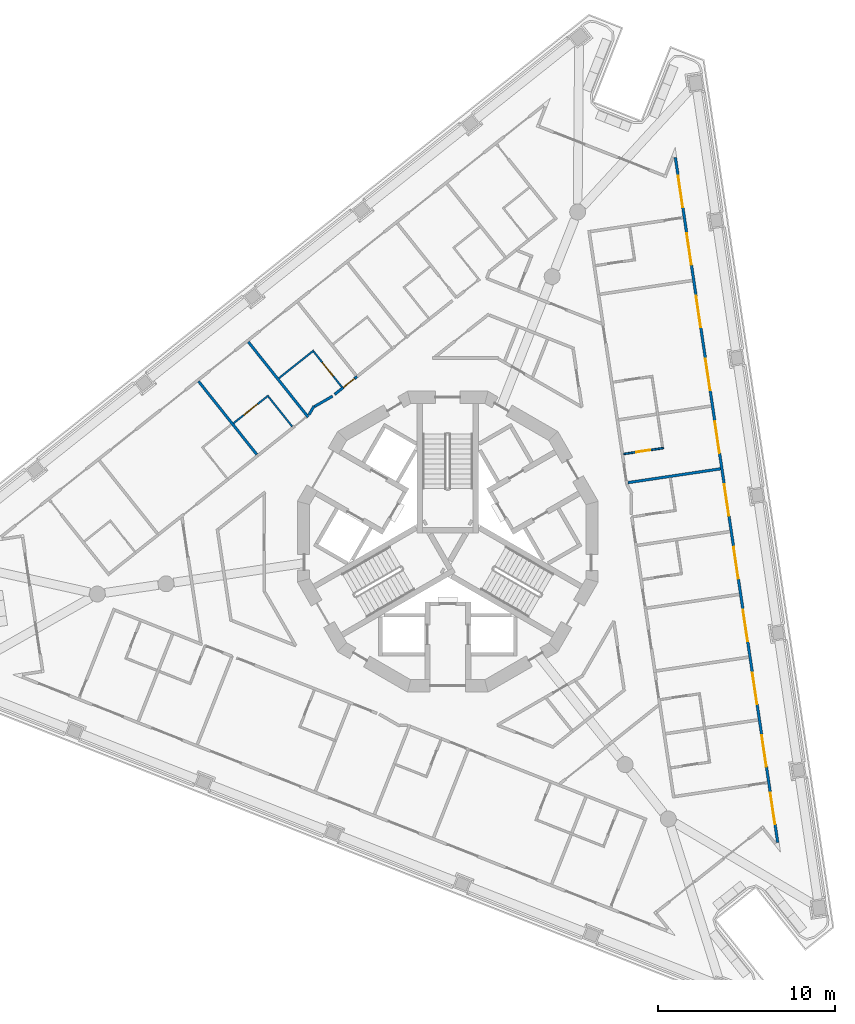
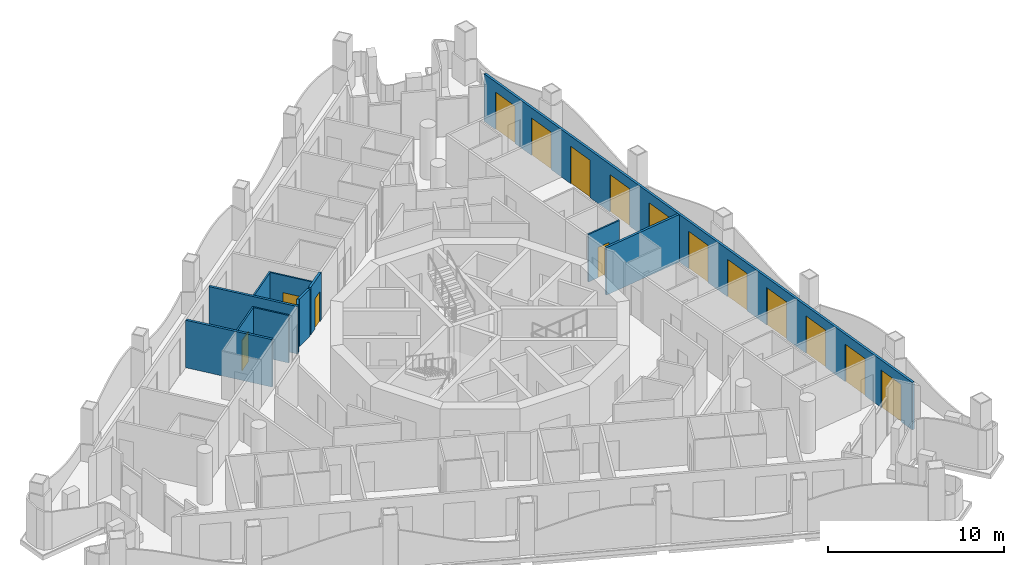
# One storey, part 7 of 17: 15 doors, 12 walls, 15 openings.
"""IFC4 building model written with IfcOpenShell, lengths in metres."""

from ifc_helpers import new_model, si_unit, direction, frame, frame_2d, origin, place, context, subcontext, project, spatial, polyline, rectangle, outline, extrude, material, layer, layer_set, type_object, element, fill, save


model = new_model("IFC4")

# Units and contexts
model_context = context("Model", 3, precision=1e-05, world=origin(), true_north=direction((0.0, 1.0)))
body_context = subcontext(model_context, "Body", "Model", "MODEL_VIEW")
ifc_project = project(units=[si_unit("LENGTHUNIT", "METRE"), si_unit("AREAUNIT", "SQUARE_METRE"), si_unit("VOLUMEUNIT", "CUBIC_METRE"), si_unit("PLANEANGLEUNIT", "RADIAN"), si_unit("MASSUNIT", "GRAM", prefix="KILO")], contexts=[model_context])

# Site, building, storey
site_placement = place(None, origin())
site = spatial("IfcSite", under=ifc_project, at=site_placement, CompositionType="ELEMENT")
building_placement = place(site_placement, origin())
building = spatial("IfcBuilding", under=site, at=building_placement, Name="Trine Commons Tower", CompositionType="ELEMENT")
storey_placement = place(building_placement, frame((0.0, 0.0, 216.0)))
storey = spatial("IfcBuildingStorey", under=building, at=storey_placement, Name="L56", CompositionType="ELEMENT", Elevation=216.0)

# Wall, openings, doors
ifc_material_1 = material(Name="Aluminium-framed insulated wall panel", Category="aluminium")
ifc_layer_1 = layer(ifc_material_1, 0.14990234375)
ifc_layer_set_1 = layer_set([ifc_layer_1], Name="Aluminium-framed insulated wall panel")
wall_type_1 = type_object("IfcWallType", Name="Glazed frame wall 150, EI 60", PredefinedType="SOLIDWALL", material=ifc_layer_set_1)
wall_1_placement = place(storey_placement, frame((92.835205078125, 84.3603515625, 0.0), z_axis=(0.0, 0.0, 1.0), x_axis=(0.147810490781, -0.989015702006, 0.0)))
wall_1 = element("IfcWall", 1, at=wall_1_placement, inside=storey, type_object=wall_type_1, Name="Glazed frame wall F2", PredefinedType="SOLIDWALL", context=body_context, shape_type="SweptSolid", body=[
    extrude(outline(polyline([(0.1494140625, 0.074951171875), (0.1494140625, -0.074951171875), (39.296875, -0.074951171875), (39.296875, 0.074951171875), (0.1494140625, 0.074951171875)])), origin(), (0.0, 0.0, 1.0), 3.300048828125),
])
opening_1_placement = place(wall_1_placement, frame((1.193115234375, 0.0, 0.0)))
opening_1 = element("IfcOpeningElement", 2, at=opening_1_placement, cuts=wall_1, Name="Opening BD-6F2-01", PredefinedType="OPENING", context=body_context, shape_type="SweptSolid", body=[
    extrude(rectangle(XDim=1.800048828125, YDim=2.60009765625, at=frame_2d((0.89990234375, 1.300048828125))), frame((0.0, 0.0849609375, 0.0), z_axis=(0.0, -1.0, 0.0), x_axis=(1.0, 0.0, 0.0)), (0.0, 0.0, 1.0), 0.169921875),
])
opening_2_placement = place(wall_1_placement, frame((4.47900390625, 0.0, 0.0)))
opening_2 = element("IfcOpeningElement", 3, at=opening_2_placement, cuts=wall_1, Name="Opening BD-6F2-02", PredefinedType="OPENING", context=body_context, shape_type="SweptSolid", body=[
    extrude(rectangle(XDim=1.800048828125, YDim=2.60009765625, at=frame_2d((0.89990234375, 1.300048828125))), frame((0.0, 0.0849609375, 0.0), z_axis=(0.0, -1.0, 0.0), x_axis=(1.0, 0.0, 0.0)), (0.0, 0.0, 1.0), 0.169921875),
])
opening_3_placement = place(wall_1_placement, frame((8.06494140625, 0.0, 0.0)))
opening_3 = element("IfcOpeningElement", 4, at=opening_3_placement, cuts=wall_1, Name="Opening BD-6F2-03", PredefinedType="OPENING", context=body_context, shape_type="SweptSolid", body=[
    extrude(rectangle(XDim=1.800048828125, YDim=2.60009765625, at=frame_2d((0.89990234375, 1.300048828125))), frame((0.0, 0.0849609375, 0.0), z_axis=(0.0, -1.0, 0.0), x_axis=(1.0, 0.0, 0.0)), (0.0, 0.0, 1.0), 0.169921875),
])
opening_4_placement = place(wall_1_placement, frame((11.65087890625, 0.0, 0.0)))
opening_4 = element("IfcOpeningElement", 5, at=opening_4_placement, cuts=wall_1, Name="Opening BD-6F2-04", PredefinedType="OPENING", context=body_context, shape_type="SweptSolid", body=[
    extrude(rectangle(XDim=1.800048828125, YDim=2.60009765625, at=frame_2d((0.89990234375, 1.300048828125))), frame((0.0, 0.0849609375, 0.0), z_axis=(0.0, -1.0, 0.0), x_axis=(1.0, 0.0, 0.0)), (0.0, 0.0, 1.0), 0.169921875),
])
opening_5_placement = place(wall_1_placement, frame((15.237060546875, 0.0, 0.0)))
opening_5 = element("IfcOpeningElement", 6, at=opening_5_placement, cuts=wall_1, Name="Opening BD-6F2-05", PredefinedType="OPENING", context=body_context, shape_type="SweptSolid", body=[
    extrude(rectangle(XDim=1.800048828125, YDim=2.60009765625, at=frame_2d((0.89990234375, 1.300048828125))), frame((0.0, 0.0849609375, 0.0), z_axis=(0.0, -1.0, 0.0), x_axis=(1.0, 0.0, 0.0)), (0.0, 0.0, 1.0), 0.169921875),
])
opening_6_placement = place(wall_1_placement, frame((18.822998046875, 0.0, 0.0)))
opening_6 = element("IfcOpeningElement", 7, at=opening_6_placement, cuts=wall_1, Name="Opening BD-6F2-06", PredefinedType="OPENING", context=body_context, shape_type="SweptSolid", body=[
    extrude(rectangle(XDim=1.800048828125, YDim=2.60009765625, at=frame_2d((0.89990234375, 1.300048828125))), frame((0.0, 0.0849609375, 0.0), z_axis=(0.0, -1.0, 0.0), x_axis=(1.0, 0.0, 0.0)), (0.0, 0.0, 1.0), 0.169921875),
])
opening_7_placement = place(wall_1_placement, frame((22.408935546875, 0.0, 0.0)))
opening_7 = element("IfcOpeningElement", 8, at=opening_7_placement, cuts=wall_1, Name="Opening BD-6F2-07", PredefinedType="OPENING", context=body_context, shape_type="SweptSolid", body=[
    extrude(rectangle(XDim=1.800048828125, YDim=2.60009765625, at=frame_2d((0.89990234375, 1.300048828125))), frame((0.0, 0.0849609375, 0.0), z_axis=(0.0, -1.0, 0.0), x_axis=(1.0, 0.0, 0.0)), (0.0, 0.0, 1.0), 0.169921875),
])
opening_8_placement = place(wall_1_placement, frame((25.9951171875, 0.0, 0.0)))
opening_8 = element("IfcOpeningElement", 9, at=opening_8_placement, cuts=wall_1, Name="Opening BD-6F2-08", PredefinedType="OPENING", context=body_context, shape_type="SweptSolid", body=[
    extrude(rectangle(XDim=1.800048828125, YDim=2.60009765625, at=frame_2d((0.89990234375, 1.300048828125))), frame((0.0, 0.0849609375, 0.0), z_axis=(0.0, -1.0, 0.0), x_axis=(1.0, 0.0, 0.0)), (0.0, 0.0, 1.0), 0.169921875),
])
opening_9_placement = place(wall_1_placement, frame((29.5810546875, 0.0, 0.0)))
opening_9 = element("IfcOpeningElement", 10, at=opening_9_placement, cuts=wall_1, Name="Opening BD-6F2-09", PredefinedType="OPENING", context=body_context, shape_type="SweptSolid", body=[
    extrude(rectangle(XDim=1.800048828125, YDim=2.60009765625, at=frame_2d((0.89990234375, 1.300048828125))), frame((0.0, 0.0849609375, 0.0), z_axis=(0.0, -1.0, 0.0), x_axis=(1.0, 0.0, 0.0)), (0.0, 0.0, 1.0), 0.169921875),
])
opening_10_placement = place(wall_1_placement, frame((33.1669921875, 0.0, 0.0)))
opening_10 = element("IfcOpeningElement", 11, at=opening_10_placement, cuts=wall_1, Name="Opening BD-6F2-10", PredefinedType="OPENING", context=body_context, shape_type="SweptSolid", body=[
    extrude(rectangle(XDim=1.800048828125, YDim=2.60009765625, at=frame_2d((0.89990234375, 1.300048828125))), frame((0.0, 0.0849609375, 0.0), z_axis=(0.0, -1.0, 0.0), x_axis=(1.0, 0.0, 0.0)), (0.0, 0.0, 1.0), 0.169921875),
])
opening_11_placement = place(wall_1_placement, frame((36.452880859375, 0.0, 0.0)))
opening_11 = element("IfcOpeningElement", 12, at=opening_11_placement, cuts=wall_1, Name="Opening BD-6F2-11", PredefinedType="OPENING", context=body_context, shape_type="SweptSolid", body=[
    extrude(rectangle(XDim=1.800048828125, YDim=2.60009765625, at=frame_2d((0.89990234375, 1.300048828125))), frame((0.0, 0.0849609375, 0.0), z_axis=(0.0, -1.0, 0.0), x_axis=(1.0, 0.0, 0.0)), (0.0, 0.0, 1.0), 0.169921875),
])
ifc_material_2 = material(Name="Anodised aluminium frame with double glazing", Category="aluminium")
door_type_1 = type_object("IfcDoorType", Name="Sliding loggia door 1800x2600", OperationType="SLIDING_TO_LEFT", PredefinedType="DOOR", material=ifc_material_2)
door_1_placement = place(opening_1_placement, origin())
door_1 = element("IfcDoor", 13, at=door_1_placement, inside=storey, type_object=door_type_1, Name="Loggia door F2 1", OperationType="SLIDING_TO_LEFT", OverallHeight=2.60009765625, OverallWidth=1.800048828125, PredefinedType="DOOR", context=body_context, shape_type="SweptSolid", body=[
    extrude(rectangle(XDim=1.800048828125, YDim=2.60009765625, at=frame_2d((0.89990234375, 1.300048828125))), frame((0.0, 0.02490234375, 0.0), z_axis=(0.0, -1.0, 0.0), x_axis=(1.0, 0.0, 0.0)), (0.0, 0.0, 1.0), 0.050048828125),
])
fill(opening_1, door_1)
door_2_placement = place(opening_2_placement, origin())
door_2 = element("IfcDoor", 14, at=door_2_placement, inside=storey, type_object=door_type_1, Name="Loggia door F2 2", OperationType="SLIDING_TO_LEFT", OverallHeight=2.60009765625, OverallWidth=1.800048828125, PredefinedType="DOOR", context=body_context, shape_type="SweptSolid", body=[
    extrude(rectangle(XDim=1.800048828125, YDim=2.60009765625, at=frame_2d((0.89990234375, 1.300048828125))), frame((0.0, 0.02490234375, 0.0), z_axis=(0.0, -1.0, 0.0), x_axis=(1.0, 0.0, 0.0)), (0.0, 0.0, 1.0), 0.050048828125),
])
fill(opening_2, door_2)
door_3_placement = place(opening_3_placement, origin())
door_3 = element("IfcDoor", 15, at=door_3_placement, inside=storey, type_object=door_type_1, Name="Loggia door F2 3", OperationType="SLIDING_TO_LEFT", OverallHeight=2.60009765625, OverallWidth=1.800048828125, PredefinedType="DOOR", context=body_context, shape_type="SweptSolid", body=[
    extrude(rectangle(XDim=1.800048828125, YDim=2.60009765625, at=frame_2d((0.89990234375, 1.300048828125))), frame((0.0, 0.02490234375, 0.0), z_axis=(0.0, -1.0, 0.0), x_axis=(1.0, 0.0, 0.0)), (0.0, 0.0, 1.0), 0.050048828125),
])
fill(opening_3, door_3)
door_4_placement = place(opening_4_placement, origin())
door_4 = element("IfcDoor", 16, at=door_4_placement, inside=storey, type_object=door_type_1, Name="Loggia door F2 4", OperationType="SLIDING_TO_LEFT", OverallHeight=2.60009765625, OverallWidth=1.800048828125, PredefinedType="DOOR", context=body_context, shape_type="SweptSolid", body=[
    extrude(rectangle(XDim=1.800048828125, YDim=2.60009765625, at=frame_2d((0.89990234375, 1.300048828125))), frame((0.0, 0.02490234375, 0.0), z_axis=(0.0, -1.0, 0.0), x_axis=(1.0, 0.0, 0.0)), (0.0, 0.0, 1.0), 0.050048828125),
])
fill(opening_4, door_4)
door_5_placement = place(opening_5_placement, origin())
door_5 = element("IfcDoor", 17, at=door_5_placement, inside=storey, type_object=door_type_1, Name="Loggia door F2 5", OperationType="SLIDING_TO_LEFT", OverallHeight=2.60009765625, OverallWidth=1.800048828125, PredefinedType="DOOR", context=body_context, shape_type="SweptSolid", body=[
    extrude(rectangle(XDim=1.800048828125, YDim=2.60009765625, at=frame_2d((0.89990234375, 1.300048828125))), frame((0.0, 0.02490234375, 0.0), z_axis=(0.0, -1.0, 0.0), x_axis=(1.0, 0.0, 0.0)), (0.0, 0.0, 1.0), 0.050048828125),
])
fill(opening_5, door_5)
door_6_placement = place(opening_6_placement, origin())
door_6 = element("IfcDoor", 18, at=door_6_placement, inside=storey, type_object=door_type_1, Name="Loggia door F2 6", OperationType="SLIDING_TO_LEFT", OverallHeight=2.60009765625, OverallWidth=1.800048828125, PredefinedType="DOOR", context=body_context, shape_type="SweptSolid", body=[
    extrude(rectangle(XDim=1.800048828125, YDim=2.60009765625, at=frame_2d((0.89990234375, 1.300048828125))), frame((0.0, 0.02490234375, 0.0), z_axis=(0.0, -1.0, 0.0), x_axis=(1.0, 0.0, 0.0)), (0.0, 0.0, 1.0), 0.050048828125),
])
fill(opening_6, door_6)
door_7_placement = place(opening_7_placement, origin())
door_7 = element("IfcDoor", 19, at=door_7_placement, inside=storey, type_object=door_type_1, Name="Loggia door F2 7", OperationType="SLIDING_TO_LEFT", OverallHeight=2.60009765625, OverallWidth=1.800048828125, PredefinedType="DOOR", context=body_context, shape_type="SweptSolid", body=[
    extrude(rectangle(XDim=1.800048828125, YDim=2.60009765625, at=frame_2d((0.89990234375, 1.300048828125))), frame((0.0, 0.02490234375, 0.0), z_axis=(0.0, -1.0, 0.0), x_axis=(1.0, 0.0, 0.0)), (0.0, 0.0, 1.0), 0.050048828125),
])
fill(opening_7, door_7)
door_8_placement = place(opening_8_placement, origin())
door_8 = element("IfcDoor", 20, at=door_8_placement, inside=storey, type_object=door_type_1, Name="Loggia door F2 8", OperationType="SLIDING_TO_LEFT", OverallHeight=2.60009765625, OverallWidth=1.800048828125, PredefinedType="DOOR", context=body_context, shape_type="SweptSolid", body=[
    extrude(rectangle(XDim=1.800048828125, YDim=2.60009765625, at=frame_2d((0.89990234375, 1.300048828125))), frame((0.0, 0.02490234375, 0.0), z_axis=(0.0, -1.0, 0.0), x_axis=(1.0, 0.0, 0.0)), (0.0, 0.0, 1.0), 0.050048828125),
])
fill(opening_8, door_8)
door_9_placement = place(opening_9_placement, origin())
door_9 = element("IfcDoor", 21, at=door_9_placement, inside=storey, type_object=door_type_1, Name="Loggia door F2 9", OperationType="SLIDING_TO_LEFT", OverallHeight=2.60009765625, OverallWidth=1.800048828125, PredefinedType="DOOR", context=body_context, shape_type="SweptSolid", body=[
    extrude(rectangle(XDim=1.800048828125, YDim=2.60009765625, at=frame_2d((0.89990234375, 1.300048828125))), frame((0.0, 0.02490234375, 0.0), z_axis=(0.0, -1.0, 0.0), x_axis=(1.0, 0.0, 0.0)), (0.0, 0.0, 1.0), 0.050048828125),
])
fill(opening_9, door_9)
door_10_placement = place(opening_10_placement, origin())
door_10 = element("IfcDoor", 22, at=door_10_placement, inside=storey, type_object=door_type_1, Name="Loggia door F2 10", OperationType="SLIDING_TO_LEFT", OverallHeight=2.60009765625, OverallWidth=1.800048828125, PredefinedType="DOOR", context=body_context, shape_type="SweptSolid", body=[
    extrude(rectangle(XDim=1.800048828125, YDim=2.60009765625, at=frame_2d((0.89990234375, 1.300048828125))), frame((0.0, 0.02490234375, 0.0), z_axis=(0.0, -1.0, 0.0), x_axis=(1.0, 0.0, 0.0)), (0.0, 0.0, 1.0), 0.050048828125),
])
fill(opening_10, door_10)
door_11_placement = place(opening_11_placement, origin())
door_11 = element("IfcDoor", 23, at=door_11_placement, inside=storey, type_object=door_type_1, Name="Loggia door F2 11", OperationType="SLIDING_TO_LEFT", OverallHeight=2.60009765625, OverallWidth=1.800048828125, PredefinedType="DOOR", context=body_context, shape_type="SweptSolid", body=[
    extrude(rectangle(XDim=1.800048828125, YDim=2.60009765625, at=frame_2d((0.89990234375, 1.300048828125))), frame((0.0, 0.02490234375, 0.0), z_axis=(0.0, -1.0, 0.0), x_axis=(1.0, 0.0, 0.0)), (0.0, 0.0, 1.0), 0.050048828125),
])
fill(opening_11, door_11)

# Walls
ifc_material_3 = material(Name="Gypsum plasterboard on steel stud", Category="steel")
ifc_layer_2 = layer(ifc_material_3, 0.14990234375)
ifc_layer_set_2 = layer_set([ifc_layer_2], Name="Gypsum plasterboard on steel stud")
wall_type_2 = type_object("IfcWallType", Name="Unit and corridor wall 150 mm, EI 60", PredefinedType="PARTITIONING", material=ifc_layer_set_2)
wall_2_placement = place(storey_placement, frame((65.9228515625, 71.5556640625, 0.0), z_axis=(0.0, 0.0, 1.0), x_axis=(0.622585933561, -0.782551439416, 0.0)))
element("IfcWall", 24, at=wall_2_placement, inside=storey, type_object=wall_type_2, Name="Partition 019", PredefinedType="PARTITIONING", context=body_context, shape_type="SweptSolid", body=[
    extrude(rectangle(XDim=5.28515625, YDim=0.14990234375, at=frame_2d((2.642578125, 0.0))), origin(), (0.0, 0.0, 1.0), 3.300048828125),
])
wall_3_placement = place(storey_placement, frame((68.72998046875, 73.788818359375, 0.0), z_axis=(0.0, 0.0, 1.0), x_axis=(0.622457280045, -0.782653776915, 0.0)))
element("IfcWall", 25, at=wall_3_placement, inside=storey, type_object=wall_type_2, Name="Partition 030", PredefinedType="PARTITIONING", context=body_context, shape_type="SweptSolid", body=[
    extrude(rectangle(XDim=5.4345703125, YDim=0.14990234375, at=frame_2d((2.71728515625, 0.0))), origin(), (0.0, 0.0, 1.0), 3.300048828125),
])
wall_4_placement = place(storey_placement, frame((72.152099609375, 69.656005859375, 0.0), z_axis=(0.0, 0.0, 1.0), x_axis=(0.499165076137, 0.866506910973, 0.0)))
element("IfcWall", 26, at=wall_4_placement, inside=storey, type_object=wall_type_2, Name="Partition 040", PredefinedType="PARTITIONING", context=body_context, shape_type="SweptSolid", body=[
    extrude(rectangle(XDim=0.58154296875, YDim=0.14990234375, at=frame_2d((0.290771484375, 0.0))), origin(), (0.0, 0.0, 1.0), 3.300048828125),
])
wall_5_placement = place(storey_placement, frame((72.469970703125, 70.132568359375, 0.0), z_axis=(0.0, 0.0, 1.0), x_axis=(0.865861083349, 0.5002845034, 0.0)))
element("IfcWall", 27, at=wall_5_placement, inside=storey, type_object=wall_type_2, Name="Partition 042", PredefinedType="PARTITIONING", context=body_context, shape_type="SweptSolid", body=[
    extrude(rectangle(XDim=1.177978515625, YDim=0.14990234375, at=frame_2d((0.5888671875, 0.0))), origin(), (0.0, 0.0, 1.0), 3.300048828125),
])

# Wall, opening, door
wall_6_placement = place(storey_placement, frame((73.60302734375, 70.81591796875, 0.0), z_axis=(0.0, 0.0, 1.0), x_axis=(0.782783875515, 0.622293663983, 0.0)))
wall_6 = element("IfcWall", 28, at=wall_6_placement, inside=storey, type_object=wall_type_2, Name="Partition 045", PredefinedType="PARTITIONING", context=body_context, shape_type="SweptSolid", body=[
    extrude(rectangle(XDim=1.626220703125, YDim=0.14990234375, at=frame_2d((0.81298828125, 0.0))), origin(), (0.0, 0.0, 1.0), 3.300048828125),
])
opening_12_placement = place(wall_6_placement, frame((0.636474609375, 0.0, 0.0)))
opening_12 = element("IfcOpeningElement", 29, at=opening_12_placement, cuts=wall_6, Name="Opening D-6B08", PredefinedType="OPENING", context=body_context, shape_type="SweptSolid", body=[
    extrude(rectangle(XDim=0.800048828125, YDim=2.10009765625, at=frame_2d((0.39990234375, 1.050048828125))), frame((0.0, 0.0849609375, 0.0), z_axis=(0.0, -1.0, 0.0), x_axis=(1.0, 0.0, 0.0)), (0.0, 0.0, 1.0), 0.169921875),
])
ifc_material_4 = material(Name="Timber fire door set", Category="wood")
door_type_2 = type_object("IfcDoorType", Name="Bedroom door 800 x 2100, FD30S", OperationType="NOTDEFINED", PredefinedType="DOOR", material=ifc_material_4)
door_12_placement = place(opening_12_placement, origin())
door_12 = element("IfcDoor", 30, at=door_12_placement, inside=storey, type_object=door_type_2, Name="Door D-6B08", OperationType="SINGLE_SWING_RIGHT", OverallHeight=2.10009765625, OverallWidth=0.800048828125, PredefinedType="DOOR", context=body_context, shape_type="SweptSolid", body=[
    extrude(rectangle(XDim=0.800048828125, YDim=2.10009765625, at=frame_2d((0.39990234375, 1.050048828125))), frame((0.0, 0.02490234375, 0.0), z_axis=(0.0, -1.0, 0.0), x_axis=(1.0, 0.0, 0.0)), (0.0, 0.0, 1.0), 0.050048828125),
])
fill(opening_12, door_12)

# Wall
wall_7_placement = place(storey_placement, frame((90.18408203125, 65.835205078125, 0.0), z_axis=(0.0, 0.0, 1.0), x_axis=(0.98902190879, 0.147768954566, 0.0)))
element("IfcWall", 31, at=wall_7_placement, inside=storey, type_object=wall_type_2, Name="Partition 120", PredefinedType="PARTITIONING", context=body_context, shape_type="SweptSolid", body=[
    extrude(rectangle(XDim=5.285400390625, YDim=0.14990234375, at=frame_2d((2.642578125, 0.0))), origin(), (0.0, 0.0, 1.0), 3.300048828125),
])

# Wall, opening, door
ifc_layer_3 = layer(ifc_material_3, 0.10009765625)
ifc_layer_set_3 = layer_set([ifc_layer_3], Name="Gypsum plasterboard on steel stud")
wall_type_3 = type_object("IfcWallType", Name="Unit partition 100 mm, no rating", PredefinedType="PARTITIONING", material=ifc_layer_set_3)
wall_8_placement = place(storey_placement, frame((67.899658203125, 69.192626953125, 0.0), z_axis=(0.0, 0.0, 1.0), x_axis=(0.78255500256, 0.622581454886, 0.0)))
wall_8 = element("IfcWall", 32, at=wall_8_placement, inside=storey, type_object=wall_type_3, Name="Partition 028", PredefinedType="PARTITIONING", context=body_context, shape_type="SweptSolid", body=[
    extrude(rectangle(XDim=2.524169921875, YDim=0.10009765625, at=frame_2d((1.26220703125, 0.0))), origin(), (0.0, 0.0, 1.0), 3.300048828125),
])
opening_13_placement = place(wall_8_placement, frame((0.737060546875, 0.0, 0.0)))
opening_13 = element("IfcOpeningElement", 33, at=opening_13_placement, cuts=wall_8, Name="Opening D-6B37", PredefinedType="OPENING", context=body_context, shape_type="SweptSolid", body=[
    extrude(rectangle(XDim=1.0, YDim=2.10009765625, at=frame_2d((0.5, 1.050048828125))), frame((0.0, 0.06005859375, 0.0), z_axis=(0.0, -1.0, 0.0), x_axis=(1.0, 0.0, 0.0)), (0.0, 0.0, 1.0), 0.1201171875),
])
ifc_material_5 = material(Name="Painted timber", Category="wood")
door_type_3 = type_object("IfcDoorType", Name="Internal door 1000 x 2100, NOT RATED", OperationType="NOTDEFINED", PredefinedType="DOOR", material=ifc_material_5)
door_13_placement = place(opening_13_placement, origin())
door_13 = element("IfcDoor", 34, at=door_13_placement, inside=storey, type_object=door_type_3, Name="Door D-6B37", OperationType="SINGLE_SWING_LEFT", OverallHeight=2.10009765625, OverallWidth=1.0, PredefinedType="DOOR", context=body_context, shape_type="SweptSolid", body=[
    extrude(rectangle(XDim=1.0, YDim=2.10009765625, at=frame_2d((0.5, 1.050048828125))), frame((0.0, 0.02490234375, 0.0), z_axis=(0.0, -1.0, 0.0), x_axis=(1.0, 0.0, 0.0)), (0.0, 0.0, 1.0), 0.050048828125),
])
fill(opening_13, door_13)

# Walls
wall_9_placement = place(storey_placement, frame((69.8671875, 70.69384765625, 0.0), z_axis=(0.0, 0.0, 1.0), x_axis=(0.622772700452, -0.782402814139, 0.0)))
element("IfcWall", 35, at=wall_9_placement, inside=storey, type_object=wall_type_3, Name="Partition 034", PredefinedType="PARTITIONING", context=body_context, shape_type="SweptSolid", body=[
    extrude(rectangle(XDim=2.155029296875, YDim=0.10009765625, at=frame_2d((1.07763671875, 0.0))), origin(), (0.0, 0.0, 1.0), 3.300048828125),
])
wall_10_placement = place(storey_placement, frame((70.459716796875, 71.734619140625, 0.0), z_axis=(0.0, 0.0, 1.0), x_axis=(0.78255500256, 0.622581454886, 0.0)))
element("IfcWall", 36, at=wall_10_placement, inside=storey, type_object=wall_type_3, Name="Partition 035", PredefinedType="PARTITIONING", context=body_context, shape_type="SweptSolid", body=[
    extrude(rectangle(XDim=2.524169921875, YDim=0.10009765625, at=frame_2d((1.26220703125, 0.0))), origin(), (0.0, 0.0, 1.0), 3.300048828125),
])

# Wall, opening, door
wall_11_placement = place(storey_placement, frame((72.427001953125, 73.23583984375, 0.0), z_axis=(0.0, 0.0, 1.0), x_axis=(0.62266210395, -0.782490833368, 0.0)))
wall_11 = element("IfcWall", 37, at=wall_11_placement, inside=storey, type_object=wall_type_3, Name="Partition 041", PredefinedType="PARTITIONING", context=body_context, shape_type="SweptSolid", body=[
    extrude(rectangle(XDim=2.551025390625, YDim=0.10009765625, at=frame_2d((1.275390625, 0.0))), origin(), (0.0, 0.0, 1.0), 3.300048828125),
])
opening_14_placement = place(wall_11_placement, frame((0.775390625, 0.0, 0.0)))
opening_14 = element("IfcOpeningElement", 38, at=opening_14_placement, cuts=wall_11, Name="Opening D-6B38", PredefinedType="OPENING", context=body_context, shape_type="SweptSolid", body=[
    extrude(rectangle(XDim=1.0, YDim=2.10009765625, at=frame_2d((0.5, 1.050048828125))), frame((0.0, 0.06005859375, 0.0), z_axis=(0.0, -1.0, 0.0), x_axis=(1.0, 0.0, 0.0)), (0.0, 0.0, 1.0), 0.1201171875),
])
door_14_placement = place(opening_14_placement, origin())
door_14 = element("IfcDoor", 39, at=door_14_placement, inside=storey, type_object=door_type_3, Name="Door D-6B38", OperationType="SINGLE_SWING_LEFT", OverallHeight=2.10009765625, OverallWidth=1.0, PredefinedType="DOOR", context=body_context, shape_type="SweptSolid", body=[
    extrude(rectangle(XDim=1.0, YDim=2.10009765625, at=frame_2d((0.5, 1.050048828125))), frame((0.0, 0.02490234375, 0.0), z_axis=(0.0, -1.0, 0.0), x_axis=(1.0, 0.0, 0.0)), (0.0, 0.0, 1.0), 0.050048828125),
])
fill(opening_14, door_14)

wall_12_placement = place(storey_placement, frame((89.942138671875, 67.453125, 0.0), z_axis=(0.0, 0.0, 1.0), x_axis=(0.989023546454, 0.147757993216, 0.0)))
wall_12 = element("IfcWall", 40, at=wall_12_placement, inside=storey, type_object=wall_type_3, Name="Partition 118", PredefinedType="PARTITIONING", context=body_context, shape_type="SweptSolid", body=[
    extrude(rectangle(XDim=2.275146484375, YDim=0.10009765625, at=frame_2d((1.1376953125, 0.0))), origin(), (0.0, 0.0, 1.0), 3.300048828125),
])
opening_15_placement = place(wall_12_placement, frame((0.712646484375, 0.0, 0.0)))
opening_15 = element("IfcOpeningElement", 41, at=opening_15_placement, cuts=wall_12, Name="Opening D-6B45", PredefinedType="OPENING", context=body_context, shape_type="SweptSolid", body=[
    extrude(rectangle(XDim=0.800048828125, YDim=2.10009765625, at=frame_2d((0.39990234375, 1.050048828125))), frame((0.0, 0.06005859375, 0.0), z_axis=(0.0, -1.0, 0.0), x_axis=(1.0, 0.0, 0.0)), (0.0, 0.0, 1.0), 0.1201171875),
])
door_type_4 = type_object("IfcDoorType", Name="Internal door 800 x 2100, NOT RATED", OperationType="NOTDEFINED", PredefinedType="DOOR", material=ifc_material_5)
door_15_placement = place(opening_15_placement, frame((0.800048828125, 0.0, 0.0), z_axis=(0.0, 0.0, 1.0), x_axis=(-1.0, 0.0, 0.0)))
door_15 = element("IfcDoor", 42, at=door_15_placement, inside=storey, type_object=door_type_4, Name="Door D-6B45", OperationType="SINGLE_SWING_RIGHT", OverallHeight=2.10009765625, OverallWidth=0.800048828125, PredefinedType="DOOR", context=body_context, shape_type="SweptSolid", body=[
    extrude(rectangle(XDim=0.800048828125, YDim=2.10009765625, at=frame_2d((0.39990234375, 1.050048828125))), frame((0.0, 0.02490234375, 0.0), z_axis=(0.0, -1.0, 0.0), x_axis=(1.0, 0.0, 0.0)), (0.0, 0.0, 1.0), 0.050048828125),
])
fill(opening_15, door_15)

save(model, "model.ifc")
